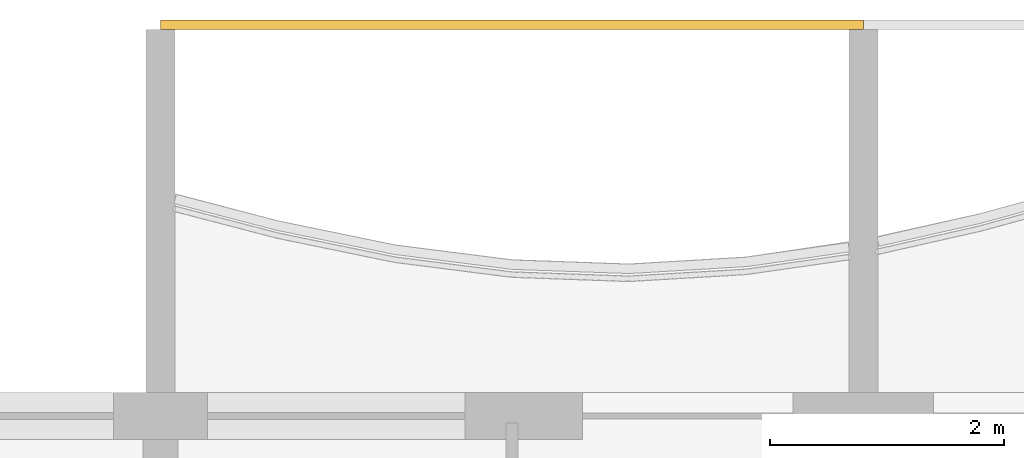
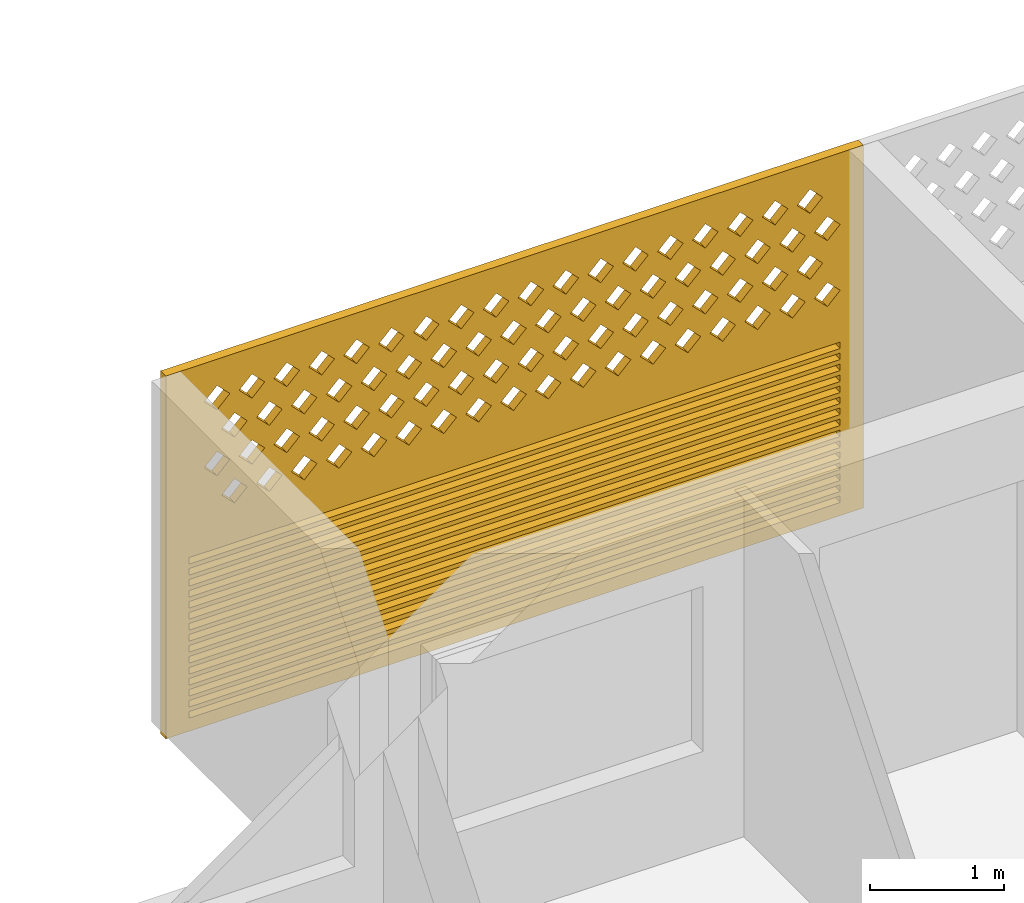
# One storey, part 27 of 31: 1 covering.
"""IFC4 building model written with IfcOpenShell, lengths in metres."""

from ifc_helpers import new_model, si_unit, direction, frame, origin, place, context, subcontext, project, spatial, polyline, outline, extrude, source, transform, mapped, material, material_profile, profile_set, type_object, element, save


model = new_model("IFC4")

# Units and contexts
model_context = context("Model", 3, precision=1e-05, world=origin(), true_north=direction((0.0, 1.0)))
body_context = subcontext(model_context, "Body", "Model", "MODEL_VIEW")
ifc_project = project(units=[si_unit("LENGTHUNIT", "METRE"), si_unit("AREAUNIT", "SQUARE_METRE"), si_unit("VOLUMEUNIT", "CUBIC_METRE"), si_unit("PLANEANGLEUNIT", "RADIAN"), si_unit("MASSUNIT", "GRAM", prefix="KILO")], contexts=[model_context])

# Site, building, storey
site_placement = place(None, origin())
site = spatial("IfcSite", under=ifc_project, at=site_placement, CompositionType="ELEMENT")
building_placement = place(site_placement, origin())
building = spatial("IfcBuilding", under=site, at=building_placement, Name="Poui Terraces", CompositionType="ELEMENT")
storey_placement = place(building_placement, frame((0.0, 0.0, 142.199951171875)))
storey = spatial("IfcBuildingStorey", under=building, at=storey_placement, Name="L39", CompositionType="ELEMENT", Elevation=142.199951171875)

# Covering
ifc_material = material(Name="Terracotta screen", Category="masonry")
ifc_material_profile = material_profile(ifc_material, outline(polyline([(-3.0, -1.64990234375), (3.0, -1.64990234375), (3.0, 1.64990234375), (-3.0, 1.64990234375), (-3.0, -1.64990234375)]), holes=[polyline([(-2.800048828125, 0.39990234375), (-2.68994140625, 0.2900390625), (-2.580078125, 0.39990234375), (-2.68994140625, 0.510009765625), (-2.800048828125, 0.39990234375)]), polyline([(-2.5, 0.39990234375), (-2.389892578125, 0.2900390625), (-2.280029296875, 0.39990234375), (-2.389892578125, 0.510009765625), (-2.5, 0.39990234375)]), polyline([(-2.199951171875, 0.39990234375), (-2.090087890625, 0.2900390625), (-1.97998046875, 0.39990234375), (-2.090087890625, 0.510009765625), (-2.199951171875, 0.39990234375)]), polyline([(-1.89990234375, 0.39990234375), (-1.7900390625, 0.2900390625), (-1.679931640625, 0.39990234375), (-1.7900390625, 0.510009765625), (-1.89990234375, 0.39990234375)]), polyline([(-1.60009765625, 0.39990234375), (-1.489990234375, 0.2900390625), (-1.3798828125, 0.39990234375), (-1.489990234375, 0.510009765625), (-1.60009765625, 0.39990234375)]), polyline([(-1.300048828125, 0.39990234375), (-1.18994140625, 0.2900390625), (-1.080078125, 0.39990234375), (-1.18994140625, 0.510009765625), (-1.300048828125, 0.39990234375)]), polyline([(-1.0, 0.39990234375), (-0.889892578125, 0.2900390625), (-0.780029296875, 0.39990234375), (-0.889892578125, 0.510009765625), (-1.0, 0.39990234375)]), polyline([(-0.699951171875, 0.39990234375), (-0.590087890625, 0.2900390625), (-0.47998046875, 0.39990234375), (-0.590087890625, 0.510009765625), (-0.699951171875, 0.39990234375)]), polyline([(-0.39990234375, 0.39990234375), (-0.2900390625, 0.2900390625), (-0.179931640625, 0.39990234375), (-0.2900390625, 0.510009765625), (-0.39990234375, 0.39990234375)]), polyline([(-0.10009765625, 0.39990234375), (0.010009765625, 0.2900390625), (0.1201171875, 0.39990234375), (0.010009765625, 0.510009765625), (-0.10009765625, 0.39990234375)]), polyline([(0.199951171875, 0.39990234375), (0.31005859375, 0.2900390625), (0.419921875, 0.39990234375), (0.31005859375, 0.510009765625), (0.199951171875, 0.39990234375)]), polyline([(0.5, 0.39990234375), (0.610107421875, 0.2900390625), (0.719970703125, 0.39990234375), (0.610107421875, 0.510009765625), (0.5, 0.39990234375)]), polyline([(0.800048828125, 0.39990234375), (0.909912109375, 0.2900390625), (1.02001953125, 0.39990234375), (0.909912109375, 0.510009765625), (0.800048828125, 0.39990234375)]), polyline([(1.10009765625, 0.39990234375), (1.2099609375, 0.2900390625), (1.320068359375, 0.39990234375), (1.2099609375, 0.510009765625), (1.10009765625, 0.39990234375)]), polyline([(1.39990234375, 0.39990234375), (1.510009765625, 0.2900390625), (1.6201171875, 0.39990234375), (1.510009765625, 0.510009765625), (1.39990234375, 0.39990234375)]), polyline([(1.699951171875, 0.39990234375), (1.81005859375, 0.2900390625), (1.919921875, 0.39990234375), (1.81005859375, 0.510009765625), (1.699951171875, 0.39990234375)]), polyline([(2.0, 0.39990234375), (2.110107421875, 0.2900390625), (2.219970703125, 0.39990234375), (2.110107421875, 0.510009765625), (2.0, 0.39990234375)]), polyline([(2.300048828125, 0.39990234375), (2.409912109375, 0.2900390625), (2.52001953125, 0.39990234375), (2.409912109375, 0.510009765625), (2.300048828125, 0.39990234375)]), polyline([(-2.64990234375, 0.699951171875), (-2.5400390625, 0.590087890625), (-2.429931640625, 0.699951171875), (-2.5400390625, 0.81005859375), (-2.64990234375, 0.699951171875)]), polyline([(-2.35009765625, 0.699951171875), (-2.239990234375, 0.590087890625), (-2.1298828125, 0.699951171875), (-2.239990234375, 0.81005859375), (-2.35009765625, 0.699951171875)]), polyline([(-2.050048828125, 0.699951171875), (-1.93994140625, 0.590087890625), (-1.830078125, 0.699951171875), (-1.93994140625, 0.81005859375), (-2.050048828125, 0.699951171875)]), polyline([(-1.75, 0.699951171875), (-1.639892578125, 0.590087890625), (-1.530029296875, 0.699951171875), (-1.639892578125, 0.81005859375), (-1.75, 0.699951171875)]), polyline([(-1.449951171875, 0.699951171875), (-1.340087890625, 0.590087890625), (-1.22998046875, 0.699951171875), (-1.340087890625, 0.81005859375), (-1.449951171875, 0.699951171875)]), polyline([(-1.14990234375, 0.699951171875), (-1.0400390625, 0.590087890625), (-0.929931640625, 0.699951171875), (-1.0400390625, 0.81005859375), (-1.14990234375, 0.699951171875)]), polyline([(-0.85009765625, 0.699951171875), (-0.739990234375, 0.590087890625), (-0.6298828125, 0.699951171875), (-0.739990234375, 0.81005859375), (-0.85009765625, 0.699951171875)]), polyline([(-0.550048828125, 0.699951171875), (-0.43994140625, 0.590087890625), (-0.330078125, 0.699951171875), (-0.43994140625, 0.81005859375), (-0.550048828125, 0.699951171875)]), polyline([(-0.25, 0.699951171875), (-0.139892578125, 0.590087890625), (-0.030029296875, 0.699951171875), (-0.139892578125, 0.81005859375), (-0.25, 0.699951171875)]), polyline([(0.050048828125, 0.699951171875), (0.159912109375, 0.590087890625), (0.27001953125, 0.699951171875), (0.159912109375, 0.81005859375), (0.050048828125, 0.699951171875)]), polyline([(0.35009765625, 0.699951171875), (0.4599609375, 0.590087890625), (0.570068359375, 0.699951171875), (0.4599609375, 0.81005859375), (0.35009765625, 0.699951171875)]), polyline([(0.64990234375, 0.699951171875), (0.760009765625, 0.590087890625), (0.8701171875, 0.699951171875), (0.760009765625, 0.81005859375), (0.64990234375, 0.699951171875)]), polyline([(0.949951171875, 0.699951171875), (1.06005859375, 0.590087890625), (1.169921875, 0.699951171875), (1.06005859375, 0.81005859375), (0.949951171875, 0.699951171875)]), polyline([(1.25, 0.699951171875), (1.360107421875, 0.590087890625), (1.469970703125, 0.699951171875), (1.360107421875, 0.81005859375), (1.25, 0.699951171875)]), polyline([(1.550048828125, 0.699951171875), (1.659912109375, 0.590087890625), (1.77001953125, 0.699951171875), (1.659912109375, 0.81005859375), (1.550048828125, 0.699951171875)]), polyline([(1.85009765625, 0.699951171875), (1.9599609375, 0.590087890625), (2.070068359375, 0.699951171875), (1.9599609375, 0.81005859375), (1.85009765625, 0.699951171875)]), polyline([(2.14990234375, 0.699951171875), (2.260009765625, 0.590087890625), (2.3701171875, 0.699951171875), (2.260009765625, 0.81005859375), (2.14990234375, 0.699951171875)]), polyline([(2.449951171875, 0.699951171875), (2.56005859375, 0.590087890625), (2.669921875, 0.699951171875), (2.56005859375, 0.81005859375), (2.449951171875, 0.699951171875)]), polyline([(-2.800048828125, 1.0), (-2.68994140625, 0.889892578125), (-2.580078125, 1.0), (-2.68994140625, 1.110107421875), (-2.800048828125, 1.0)]), polyline([(-2.5, 1.0), (-2.389892578125, 0.889892578125), (-2.280029296875, 1.0), (-2.389892578125, 1.110107421875), (-2.5, 1.0)]), polyline([(-2.199951171875, 1.0), (-2.090087890625, 0.889892578125), (-1.97998046875, 1.0), (-2.090087890625, 1.110107421875), (-2.199951171875, 1.0)]), polyline([(-1.89990234375, 1.0), (-1.7900390625, 0.889892578125), (-1.679931640625, 1.0), (-1.7900390625, 1.110107421875), (-1.89990234375, 1.0)]), polyline([(-1.60009765625, 1.0), (-1.489990234375, 0.889892578125), (-1.3798828125, 1.0), (-1.489990234375, 1.110107421875), (-1.60009765625, 1.0)]), polyline([(-1.300048828125, 1.0), (-1.18994140625, 0.889892578125), (-1.080078125, 1.0), (-1.18994140625, 1.110107421875), (-1.300048828125, 1.0)]), polyline([(-1.0, 1.0), (-0.889892578125, 0.889892578125), (-0.780029296875, 1.0), (-0.889892578125, 1.110107421875), (-1.0, 1.0)]), polyline([(-0.699951171875, 1.0), (-0.590087890625, 0.889892578125), (-0.47998046875, 1.0), (-0.590087890625, 1.110107421875), (-0.699951171875, 1.0)]), polyline([(-0.39990234375, 1.0), (-0.2900390625, 0.889892578125), (-0.179931640625, 1.0), (-0.2900390625, 1.110107421875), (-0.39990234375, 1.0)]), polyline([(-0.10009765625, 1.0), (0.010009765625, 0.889892578125), (0.1201171875, 1.0), (0.010009765625, 1.110107421875), (-0.10009765625, 1.0)]), polyline([(0.199951171875, 1.0), (0.31005859375, 0.889892578125), (0.419921875, 1.0), (0.31005859375, 1.110107421875), (0.199951171875, 1.0)]), polyline([(0.5, 1.0), (0.610107421875, 0.889892578125), (0.719970703125, 1.0), (0.610107421875, 1.110107421875), (0.5, 1.0)]), polyline([(0.800048828125, 1.0), (0.909912109375, 0.889892578125), (1.02001953125, 1.0), (0.909912109375, 1.110107421875), (0.800048828125, 1.0)]), polyline([(1.10009765625, 1.0), (1.2099609375, 0.889892578125), (1.320068359375, 1.0), (1.2099609375, 1.110107421875), (1.10009765625, 1.0)]), polyline([(1.39990234375, 1.0), (1.510009765625, 0.889892578125), (1.6201171875, 1.0), (1.510009765625, 1.110107421875), (1.39990234375, 1.0)]), polyline([(1.699951171875, 1.0), (1.81005859375, 0.889892578125), (1.919921875, 1.0), (1.81005859375, 1.110107421875), (1.699951171875, 1.0)]), polyline([(2.0, 1.0), (2.110107421875, 0.889892578125), (2.219970703125, 1.0), (2.110107421875, 1.110107421875), (2.0, 1.0)]), polyline([(2.300048828125, 1.0), (2.409912109375, 0.889892578125), (2.52001953125, 1.0), (2.409912109375, 1.110107421875), (2.300048828125, 1.0)]), polyline([(-2.64990234375, 1.300048828125), (-2.5400390625, 1.18994140625), (-2.429931640625, 1.300048828125), (-2.5400390625, 1.409912109375), (-2.64990234375, 1.300048828125)]), polyline([(-2.35009765625, 1.300048828125), (-2.239990234375, 1.18994140625), (-2.1298828125, 1.300048828125), (-2.239990234375, 1.409912109375), (-2.35009765625, 1.300048828125)]), polyline([(-2.050048828125, 1.300048828125), (-1.93994140625, 1.18994140625), (-1.830078125, 1.300048828125), (-1.93994140625, 1.409912109375), (-2.050048828125, 1.300048828125)]), polyline([(-1.75, 1.300048828125), (-1.639892578125, 1.18994140625), (-1.530029296875, 1.300048828125), (-1.639892578125, 1.409912109375), (-1.75, 1.300048828125)]), polyline([(-1.449951171875, 1.300048828125), (-1.340087890625, 1.18994140625), (-1.22998046875, 1.300048828125), (-1.340087890625, 1.409912109375), (-1.449951171875, 1.300048828125)]), polyline([(-1.14990234375, 1.300048828125), (-1.0400390625, 1.18994140625), (-0.929931640625, 1.300048828125), (-1.0400390625, 1.409912109375), (-1.14990234375, 1.300048828125)]), polyline([(-0.85009765625, 1.300048828125), (-0.739990234375, 1.18994140625), (-0.6298828125, 1.300048828125), (-0.739990234375, 1.409912109375), (-0.85009765625, 1.300048828125)]), polyline([(-0.550048828125, 1.300048828125), (-0.43994140625, 1.18994140625), (-0.330078125, 1.300048828125), (-0.43994140625, 1.409912109375), (-0.550048828125, 1.300048828125)]), polyline([(-0.25, 1.300048828125), (-0.139892578125, 1.18994140625), (-0.030029296875, 1.300048828125), (-0.139892578125, 1.409912109375), (-0.25, 1.300048828125)]), polyline([(0.050048828125, 1.300048828125), (0.159912109375, 1.18994140625), (0.27001953125, 1.300048828125), (0.159912109375, 1.409912109375), (0.050048828125, 1.300048828125)]), polyline([(0.35009765625, 1.300048828125), (0.4599609375, 1.18994140625), (0.570068359375, 1.300048828125), (0.4599609375, 1.409912109375), (0.35009765625, 1.300048828125)]), polyline([(0.64990234375, 1.300048828125), (0.760009765625, 1.18994140625), (0.8701171875, 1.300048828125), (0.760009765625, 1.409912109375), (0.64990234375, 1.300048828125)]), polyline([(0.949951171875, 1.300048828125), (1.06005859375, 1.18994140625), (1.169921875, 1.300048828125), (1.06005859375, 1.409912109375), (0.949951171875, 1.300048828125)]), polyline([(1.25, 1.300048828125), (1.360107421875, 1.18994140625), (1.469970703125, 1.300048828125), (1.360107421875, 1.409912109375), (1.25, 1.300048828125)]), polyline([(1.550048828125, 1.300048828125), (1.659912109375, 1.18994140625), (1.77001953125, 1.300048828125), (1.659912109375, 1.409912109375), (1.550048828125, 1.300048828125)]), polyline([(1.85009765625, 1.300048828125), (1.9599609375, 1.18994140625), (2.070068359375, 1.300048828125), (1.9599609375, 1.409912109375), (1.85009765625, 1.300048828125)]), polyline([(2.14990234375, 1.300048828125), (2.260009765625, 1.18994140625), (2.3701171875, 1.300048828125), (2.260009765625, 1.409912109375), (2.14990234375, 1.300048828125)]), polyline([(2.449951171875, 1.300048828125), (2.56005859375, 1.18994140625), (2.669921875, 1.300048828125), (2.56005859375, 1.409912109375), (2.449951171875, 1.300048828125)]), polyline([(-2.800048828125, -1.530029296875), (2.800048828125, -1.530029296875), (2.800048828125, -1.469970703125), (-2.800048828125, -1.469970703125), (-2.800048828125, -1.530029296875)]), polyline([(-2.800048828125, -1.429931640625), (2.800048828125, -1.429931640625), (2.800048828125, -1.3701171875), (-2.800048828125, -1.3701171875), (-2.800048828125, -1.429931640625)]), polyline([(-2.800048828125, -1.330078125), (2.800048828125, -1.330078125), (2.800048828125, -1.27001953125), (-2.800048828125, -1.27001953125), (-2.800048828125, -1.330078125)]), polyline([(-2.800048828125, -1.22998046875), (2.800048828125, -1.22998046875), (2.800048828125, -1.169921875), (-2.800048828125, -1.169921875), (-2.800048828125, -1.22998046875)]), polyline([(-2.800048828125, -1.1298828125), (2.800048828125, -1.1298828125), (2.800048828125, -1.070068359375), (-2.800048828125, -1.070068359375), (-2.800048828125, -1.1298828125)]), polyline([(-2.800048828125, -1.030029296875), (2.800048828125, -1.030029296875), (2.800048828125, -0.969970703125), (-2.800048828125, -0.969970703125), (-2.800048828125, -1.030029296875)]), polyline([(-2.800048828125, -0.929931640625), (2.800048828125, -0.929931640625), (2.800048828125, -0.8701171875), (-2.800048828125, -0.8701171875), (-2.800048828125, -0.929931640625)]), polyline([(-2.800048828125, -0.830078125), (2.800048828125, -0.830078125), (2.800048828125, -0.77001953125), (-2.800048828125, -0.77001953125), (-2.800048828125, -0.830078125)]), polyline([(-2.800048828125, -0.72998046875), (2.800048828125, -0.72998046875), (2.800048828125, -0.669921875), (-2.800048828125, -0.669921875), (-2.800048828125, -0.72998046875)]), polyline([(-2.800048828125, -0.6298828125), (2.800048828125, -0.6298828125), (2.800048828125, -0.570068359375), (-2.800048828125, -0.570068359375), (-2.800048828125, -0.6298828125)]), polyline([(-2.800048828125, -0.530029296875), (2.800048828125, -0.530029296875), (2.800048828125, -0.469970703125), (-2.800048828125, -0.469970703125), (-2.800048828125, -0.530029296875)]), polyline([(-2.800048828125, -0.429931640625), (2.800048828125, -0.429931640625), (2.800048828125, -0.3701171875), (-2.800048828125, -0.3701171875), (-2.800048828125, -0.429931640625)]), polyline([(-2.800048828125, -0.330078125), (2.800048828125, -0.330078125), (2.800048828125, -0.27001953125), (-2.800048828125, -0.27001953125), (-2.800048828125, -0.330078125)]), polyline([(-2.800048828125, -0.22998046875), (2.800048828125, -0.22998046875), (2.800048828125, -0.169921875), (-2.800048828125, -0.169921875), (-2.800048828125, -0.22998046875)]), polyline([(-2.800048828125, -0.1298828125), (2.800048828125, -0.1298828125), (2.800048828125, -0.070068359375), (-2.800048828125, -0.070068359375), (-2.800048828125, -0.1298828125)])]), Name="TERRACOTTA SCREEN AND JALOUSIE LOUVRE 6000X3300")
ifc_profile_set = profile_set([ifc_material_profile], Name="Terracotta screen")
covering_type = type_object("IfcCoveringType", Name="TERRACOTTA SCREEN AND JALOUSIE LOUVRE 6000X3300", PredefinedType="CLADDING", material=ifc_profile_set)
shared_shape = source(origin(), body_context, "Body", "SweptSolid", [
    extrude(outline(polyline([(-3.0, -1.64990234375), (3.0, -1.64990234375), (3.0, 1.64990234375), (-3.0, 1.64990234375), (-3.0, -1.64990234375)]), holes=[polyline([(-2.800048828125, 0.39990234375), (-2.68994140625, 0.2900390625), (-2.580078125, 0.39990234375), (-2.68994140625, 0.510009765625), (-2.800048828125, 0.39990234375)]), polyline([(-2.5, 0.39990234375), (-2.389892578125, 0.2900390625), (-2.280029296875, 0.39990234375), (-2.389892578125, 0.510009765625), (-2.5, 0.39990234375)]), polyline([(-2.199951171875, 0.39990234375), (-2.090087890625, 0.2900390625), (-1.97998046875, 0.39990234375), (-2.090087890625, 0.510009765625), (-2.199951171875, 0.39990234375)]), polyline([(-1.89990234375, 0.39990234375), (-1.7900390625, 0.2900390625), (-1.679931640625, 0.39990234375), (-1.7900390625, 0.510009765625), (-1.89990234375, 0.39990234375)]), polyline([(-1.60009765625, 0.39990234375), (-1.489990234375, 0.2900390625), (-1.3798828125, 0.39990234375), (-1.489990234375, 0.510009765625), (-1.60009765625, 0.39990234375)]), polyline([(-1.300048828125, 0.39990234375), (-1.18994140625, 0.2900390625), (-1.080078125, 0.39990234375), (-1.18994140625, 0.510009765625), (-1.300048828125, 0.39990234375)]), polyline([(-1.0, 0.39990234375), (-0.889892578125, 0.2900390625), (-0.780029296875, 0.39990234375), (-0.889892578125, 0.510009765625), (-1.0, 0.39990234375)]), polyline([(-0.699951171875, 0.39990234375), (-0.590087890625, 0.2900390625), (-0.47998046875, 0.39990234375), (-0.590087890625, 0.510009765625), (-0.699951171875, 0.39990234375)]), polyline([(-0.39990234375, 0.39990234375), (-0.2900390625, 0.2900390625), (-0.179931640625, 0.39990234375), (-0.2900390625, 0.510009765625), (-0.39990234375, 0.39990234375)]), polyline([(-0.10009765625, 0.39990234375), (0.010009765625, 0.2900390625), (0.1201171875, 0.39990234375), (0.010009765625, 0.510009765625), (-0.10009765625, 0.39990234375)]), polyline([(0.199951171875, 0.39990234375), (0.31005859375, 0.2900390625), (0.419921875, 0.39990234375), (0.31005859375, 0.510009765625), (0.199951171875, 0.39990234375)]), polyline([(0.5, 0.39990234375), (0.610107421875, 0.2900390625), (0.719970703125, 0.39990234375), (0.610107421875, 0.510009765625), (0.5, 0.39990234375)]), polyline([(0.800048828125, 0.39990234375), (0.909912109375, 0.2900390625), (1.02001953125, 0.39990234375), (0.909912109375, 0.510009765625), (0.800048828125, 0.39990234375)]), polyline([(1.10009765625, 0.39990234375), (1.2099609375, 0.2900390625), (1.320068359375, 0.39990234375), (1.2099609375, 0.510009765625), (1.10009765625, 0.39990234375)]), polyline([(1.39990234375, 0.39990234375), (1.510009765625, 0.2900390625), (1.6201171875, 0.39990234375), (1.510009765625, 0.510009765625), (1.39990234375, 0.39990234375)]), polyline([(1.699951171875, 0.39990234375), (1.81005859375, 0.2900390625), (1.919921875, 0.39990234375), (1.81005859375, 0.510009765625), (1.699951171875, 0.39990234375)]), polyline([(2.0, 0.39990234375), (2.110107421875, 0.2900390625), (2.219970703125, 0.39990234375), (2.110107421875, 0.510009765625), (2.0, 0.39990234375)]), polyline([(2.300048828125, 0.39990234375), (2.409912109375, 0.2900390625), (2.52001953125, 0.39990234375), (2.409912109375, 0.510009765625), (2.300048828125, 0.39990234375)]), polyline([(-2.64990234375, 0.699951171875), (-2.5400390625, 0.590087890625), (-2.429931640625, 0.699951171875), (-2.5400390625, 0.81005859375), (-2.64990234375, 0.699951171875)]), polyline([(-2.35009765625, 0.699951171875), (-2.239990234375, 0.590087890625), (-2.1298828125, 0.699951171875), (-2.239990234375, 0.81005859375), (-2.35009765625, 0.699951171875)]), polyline([(-2.050048828125, 0.699951171875), (-1.93994140625, 0.590087890625), (-1.830078125, 0.699951171875), (-1.93994140625, 0.81005859375), (-2.050048828125, 0.699951171875)]), polyline([(-1.75, 0.699951171875), (-1.639892578125, 0.590087890625), (-1.530029296875, 0.699951171875), (-1.639892578125, 0.81005859375), (-1.75, 0.699951171875)]), polyline([(-1.449951171875, 0.699951171875), (-1.340087890625, 0.590087890625), (-1.22998046875, 0.699951171875), (-1.340087890625, 0.81005859375), (-1.449951171875, 0.699951171875)]), polyline([(-1.14990234375, 0.699951171875), (-1.0400390625, 0.590087890625), (-0.929931640625, 0.699951171875), (-1.0400390625, 0.81005859375), (-1.14990234375, 0.699951171875)]), polyline([(-0.85009765625, 0.699951171875), (-0.739990234375, 0.590087890625), (-0.6298828125, 0.699951171875), (-0.739990234375, 0.81005859375), (-0.85009765625, 0.699951171875)]), polyline([(-0.550048828125, 0.699951171875), (-0.43994140625, 0.590087890625), (-0.330078125, 0.699951171875), (-0.43994140625, 0.81005859375), (-0.550048828125, 0.699951171875)]), polyline([(-0.25, 0.699951171875), (-0.139892578125, 0.590087890625), (-0.030029296875, 0.699951171875), (-0.139892578125, 0.81005859375), (-0.25, 0.699951171875)]), polyline([(0.050048828125, 0.699951171875), (0.159912109375, 0.590087890625), (0.27001953125, 0.699951171875), (0.159912109375, 0.81005859375), (0.050048828125, 0.699951171875)]), polyline([(0.35009765625, 0.699951171875), (0.4599609375, 0.590087890625), (0.570068359375, 0.699951171875), (0.4599609375, 0.81005859375), (0.35009765625, 0.699951171875)]), polyline([(0.64990234375, 0.699951171875), (0.760009765625, 0.590087890625), (0.8701171875, 0.699951171875), (0.760009765625, 0.81005859375), (0.64990234375, 0.699951171875)]), polyline([(0.949951171875, 0.699951171875), (1.06005859375, 0.590087890625), (1.169921875, 0.699951171875), (1.06005859375, 0.81005859375), (0.949951171875, 0.699951171875)]), polyline([(1.25, 0.699951171875), (1.360107421875, 0.590087890625), (1.469970703125, 0.699951171875), (1.360107421875, 0.81005859375), (1.25, 0.699951171875)]), polyline([(1.550048828125, 0.699951171875), (1.659912109375, 0.590087890625), (1.77001953125, 0.699951171875), (1.659912109375, 0.81005859375), (1.550048828125, 0.699951171875)]), polyline([(1.85009765625, 0.699951171875), (1.9599609375, 0.590087890625), (2.070068359375, 0.699951171875), (1.9599609375, 0.81005859375), (1.85009765625, 0.699951171875)]), polyline([(2.14990234375, 0.699951171875), (2.260009765625, 0.590087890625), (2.3701171875, 0.699951171875), (2.260009765625, 0.81005859375), (2.14990234375, 0.699951171875)]), polyline([(2.449951171875, 0.699951171875), (2.56005859375, 0.590087890625), (2.669921875, 0.699951171875), (2.56005859375, 0.81005859375), (2.449951171875, 0.699951171875)]), polyline([(-2.800048828125, 1.0), (-2.68994140625, 0.889892578125), (-2.580078125, 1.0), (-2.68994140625, 1.110107421875), (-2.800048828125, 1.0)]), polyline([(-2.5, 1.0), (-2.389892578125, 0.889892578125), (-2.280029296875, 1.0), (-2.389892578125, 1.110107421875), (-2.5, 1.0)]), polyline([(-2.199951171875, 1.0), (-2.090087890625, 0.889892578125), (-1.97998046875, 1.0), (-2.090087890625, 1.110107421875), (-2.199951171875, 1.0)]), polyline([(-1.89990234375, 1.0), (-1.7900390625, 0.889892578125), (-1.679931640625, 1.0), (-1.7900390625, 1.110107421875), (-1.89990234375, 1.0)]), polyline([(-1.60009765625, 1.0), (-1.489990234375, 0.889892578125), (-1.3798828125, 1.0), (-1.489990234375, 1.110107421875), (-1.60009765625, 1.0)]), polyline([(-1.300048828125, 1.0), (-1.18994140625, 0.889892578125), (-1.080078125, 1.0), (-1.18994140625, 1.110107421875), (-1.300048828125, 1.0)]), polyline([(-1.0, 1.0), (-0.889892578125, 0.889892578125), (-0.780029296875, 1.0), (-0.889892578125, 1.110107421875), (-1.0, 1.0)]), polyline([(-0.699951171875, 1.0), (-0.590087890625, 0.889892578125), (-0.47998046875, 1.0), (-0.590087890625, 1.110107421875), (-0.699951171875, 1.0)]), polyline([(-0.39990234375, 1.0), (-0.2900390625, 0.889892578125), (-0.179931640625, 1.0), (-0.2900390625, 1.110107421875), (-0.39990234375, 1.0)]), polyline([(-0.10009765625, 1.0), (0.010009765625, 0.889892578125), (0.1201171875, 1.0), (0.010009765625, 1.110107421875), (-0.10009765625, 1.0)]), polyline([(0.199951171875, 1.0), (0.31005859375, 0.889892578125), (0.419921875, 1.0), (0.31005859375, 1.110107421875), (0.199951171875, 1.0)]), polyline([(0.5, 1.0), (0.610107421875, 0.889892578125), (0.719970703125, 1.0), (0.610107421875, 1.110107421875), (0.5, 1.0)]), polyline([(0.800048828125, 1.0), (0.909912109375, 0.889892578125), (1.02001953125, 1.0), (0.909912109375, 1.110107421875), (0.800048828125, 1.0)]), polyline([(1.10009765625, 1.0), (1.2099609375, 0.889892578125), (1.320068359375, 1.0), (1.2099609375, 1.110107421875), (1.10009765625, 1.0)]), polyline([(1.39990234375, 1.0), (1.510009765625, 0.889892578125), (1.6201171875, 1.0), (1.510009765625, 1.110107421875), (1.39990234375, 1.0)]), polyline([(1.699951171875, 1.0), (1.81005859375, 0.889892578125), (1.919921875, 1.0), (1.81005859375, 1.110107421875), (1.699951171875, 1.0)]), polyline([(2.0, 1.0), (2.110107421875, 0.889892578125), (2.219970703125, 1.0), (2.110107421875, 1.110107421875), (2.0, 1.0)]), polyline([(2.300048828125, 1.0), (2.409912109375, 0.889892578125), (2.52001953125, 1.0), (2.409912109375, 1.110107421875), (2.300048828125, 1.0)]), polyline([(-2.64990234375, 1.300048828125), (-2.5400390625, 1.18994140625), (-2.429931640625, 1.300048828125), (-2.5400390625, 1.409912109375), (-2.64990234375, 1.300048828125)]), polyline([(-2.35009765625, 1.300048828125), (-2.239990234375, 1.18994140625), (-2.1298828125, 1.300048828125), (-2.239990234375, 1.409912109375), (-2.35009765625, 1.300048828125)]), polyline([(-2.050048828125, 1.300048828125), (-1.93994140625, 1.18994140625), (-1.830078125, 1.300048828125), (-1.93994140625, 1.409912109375), (-2.050048828125, 1.300048828125)]), polyline([(-1.75, 1.300048828125), (-1.639892578125, 1.18994140625), (-1.530029296875, 1.300048828125), (-1.639892578125, 1.409912109375), (-1.75, 1.300048828125)]), polyline([(-1.449951171875, 1.300048828125), (-1.340087890625, 1.18994140625), (-1.22998046875, 1.300048828125), (-1.340087890625, 1.409912109375), (-1.449951171875, 1.300048828125)]), polyline([(-1.14990234375, 1.300048828125), (-1.0400390625, 1.18994140625), (-0.929931640625, 1.300048828125), (-1.0400390625, 1.409912109375), (-1.14990234375, 1.300048828125)]), polyline([(-0.85009765625, 1.300048828125), (-0.739990234375, 1.18994140625), (-0.6298828125, 1.300048828125), (-0.739990234375, 1.409912109375), (-0.85009765625, 1.300048828125)]), polyline([(-0.550048828125, 1.300048828125), (-0.43994140625, 1.18994140625), (-0.330078125, 1.300048828125), (-0.43994140625, 1.409912109375), (-0.550048828125, 1.300048828125)]), polyline([(-0.25, 1.300048828125), (-0.139892578125, 1.18994140625), (-0.030029296875, 1.300048828125), (-0.139892578125, 1.409912109375), (-0.25, 1.300048828125)]), polyline([(0.050048828125, 1.300048828125), (0.159912109375, 1.18994140625), (0.27001953125, 1.300048828125), (0.159912109375, 1.409912109375), (0.050048828125, 1.300048828125)]), polyline([(0.35009765625, 1.300048828125), (0.4599609375, 1.18994140625), (0.570068359375, 1.300048828125), (0.4599609375, 1.409912109375), (0.35009765625, 1.300048828125)]), polyline([(0.64990234375, 1.300048828125), (0.760009765625, 1.18994140625), (0.8701171875, 1.300048828125), (0.760009765625, 1.409912109375), (0.64990234375, 1.300048828125)]), polyline([(0.949951171875, 1.300048828125), (1.06005859375, 1.18994140625), (1.169921875, 1.300048828125), (1.06005859375, 1.409912109375), (0.949951171875, 1.300048828125)]), polyline([(1.25, 1.300048828125), (1.360107421875, 1.18994140625), (1.469970703125, 1.300048828125), (1.360107421875, 1.409912109375), (1.25, 1.300048828125)]), polyline([(1.550048828125, 1.300048828125), (1.659912109375, 1.18994140625), (1.77001953125, 1.300048828125), (1.659912109375, 1.409912109375), (1.550048828125, 1.300048828125)]), polyline([(1.85009765625, 1.300048828125), (1.9599609375, 1.18994140625), (2.070068359375, 1.300048828125), (1.9599609375, 1.409912109375), (1.85009765625, 1.300048828125)]), polyline([(2.14990234375, 1.300048828125), (2.260009765625, 1.18994140625), (2.3701171875, 1.300048828125), (2.260009765625, 1.409912109375), (2.14990234375, 1.300048828125)]), polyline([(2.449951171875, 1.300048828125), (2.56005859375, 1.18994140625), (2.669921875, 1.300048828125), (2.56005859375, 1.409912109375), (2.449951171875, 1.300048828125)]), polyline([(-2.800048828125, -1.530029296875), (2.800048828125, -1.530029296875), (2.800048828125, -1.469970703125), (-2.800048828125, -1.469970703125), (-2.800048828125, -1.530029296875)]), polyline([(-2.800048828125, -1.429931640625), (2.800048828125, -1.429931640625), (2.800048828125, -1.3701171875), (-2.800048828125, -1.3701171875), (-2.800048828125, -1.429931640625)]), polyline([(-2.800048828125, -1.330078125), (2.800048828125, -1.330078125), (2.800048828125, -1.27001953125), (-2.800048828125, -1.27001953125), (-2.800048828125, -1.330078125)]), polyline([(-2.800048828125, -1.22998046875), (2.800048828125, -1.22998046875), (2.800048828125, -1.169921875), (-2.800048828125, -1.169921875), (-2.800048828125, -1.22998046875)]), polyline([(-2.800048828125, -1.1298828125), (2.800048828125, -1.1298828125), (2.800048828125, -1.070068359375), (-2.800048828125, -1.070068359375), (-2.800048828125, -1.1298828125)]), polyline([(-2.800048828125, -1.030029296875), (2.800048828125, -1.030029296875), (2.800048828125, -0.969970703125), (-2.800048828125, -0.969970703125), (-2.800048828125, -1.030029296875)]), polyline([(-2.800048828125, -0.929931640625), (2.800048828125, -0.929931640625), (2.800048828125, -0.8701171875), (-2.800048828125, -0.8701171875), (-2.800048828125, -0.929931640625)]), polyline([(-2.800048828125, -0.830078125), (2.800048828125, -0.830078125), (2.800048828125, -0.77001953125), (-2.800048828125, -0.77001953125), (-2.800048828125, -0.830078125)]), polyline([(-2.800048828125, -0.72998046875), (2.800048828125, -0.72998046875), (2.800048828125, -0.669921875), (-2.800048828125, -0.669921875), (-2.800048828125, -0.72998046875)]), polyline([(-2.800048828125, -0.6298828125), (2.800048828125, -0.6298828125), (2.800048828125, -0.570068359375), (-2.800048828125, -0.570068359375), (-2.800048828125, -0.6298828125)]), polyline([(-2.800048828125, -0.530029296875), (2.800048828125, -0.530029296875), (2.800048828125, -0.469970703125), (-2.800048828125, -0.469970703125), (-2.800048828125, -0.530029296875)]), polyline([(-2.800048828125, -0.429931640625), (2.800048828125, -0.429931640625), (2.800048828125, -0.3701171875), (-2.800048828125, -0.3701171875), (-2.800048828125, -0.429931640625)]), polyline([(-2.800048828125, -0.330078125), (2.800048828125, -0.330078125), (2.800048828125, -0.27001953125), (-2.800048828125, -0.27001953125), (-2.800048828125, -0.330078125)]), polyline([(-2.800048828125, -0.22998046875), (2.800048828125, -0.22998046875), (2.800048828125, -0.169921875), (-2.800048828125, -0.169921875), (-2.800048828125, -0.22998046875)]), polyline([(-2.800048828125, -0.1298828125), (2.800048828125, -0.1298828125), (2.800048828125, -0.070068359375), (-2.800048828125, -0.070068359375), (-2.800048828125, -0.1298828125)])]), origin(), (0.0, 0.0, 1.0), 0.080078125),
])
covering_placement = place(storey_placement, frame((69.0, 45.699951171875, 1.449951171875), z_axis=(0.0, 1.0, 0.0), x_axis=(-1.0, 0.0, 0.0)))
element("IfcCovering", 1, at=covering_placement, inside=storey, type_object=covering_type, Name="SOLAR SCREEN AND JALOUSIE LOUVRE", PredefinedType="CLADDING", context=body_context, shape_type="MappedRepresentation", body=[
    mapped(shared_shape, transform((0.0, 0.0, 0.0))),
])

save(model, "model.ifc")
